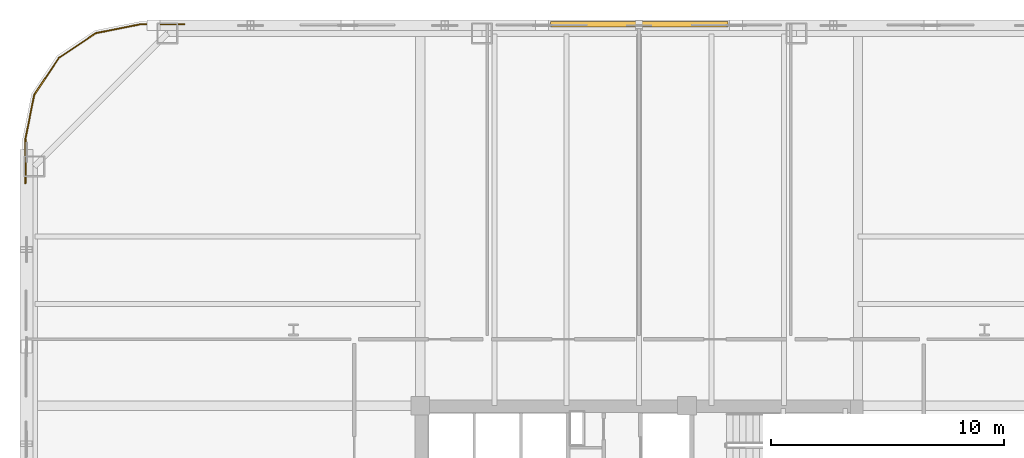
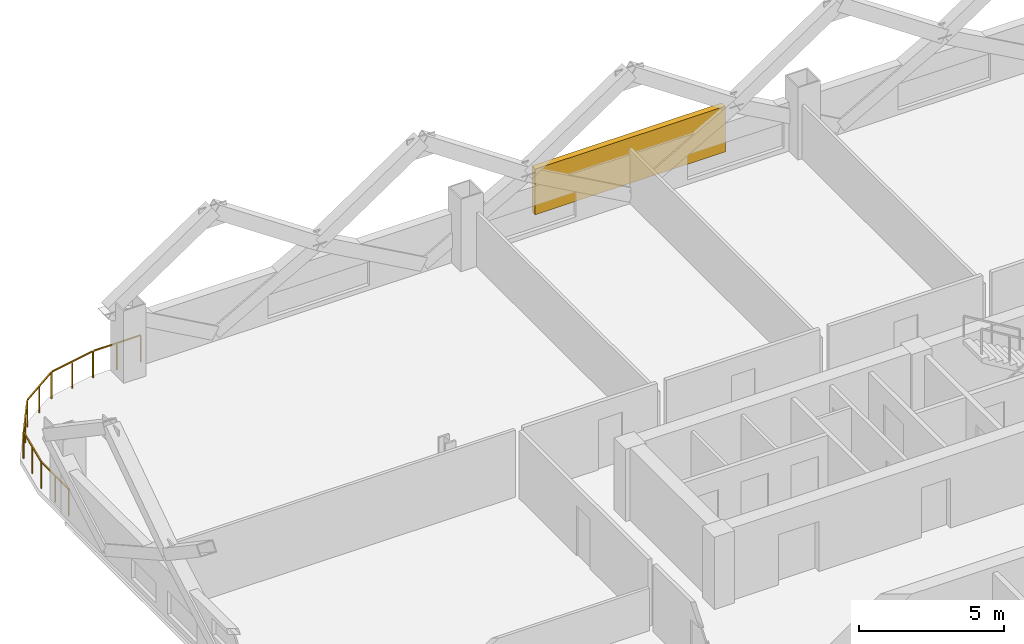
# One storey, part 12 of 13: 1 railing, 1 shading device.
"""IFC4 building model written with IfcOpenShell, lengths in metres."""

from ifc_helpers import new_model, si_unit, direction, frame, origin, origin_2d, place, context, subcontext, project, spatial, rectangle, extrude, material, type_object, element, save


model = new_model("IFC4")

# Units and contexts
model_context = context("Model", 3, precision=1e-05, world=origin(), true_north=direction((0.0, 1.0)))
body_context = subcontext(model_context, "Body", "Model", "MODEL_VIEW")
ifc_project = project(units=[si_unit("LENGTHUNIT", "METRE"), si_unit("AREAUNIT", "SQUARE_METRE"), si_unit("VOLUMEUNIT", "CUBIC_METRE"), si_unit("PLANEANGLEUNIT", "RADIAN"), si_unit("MASSUNIT", "GRAM", prefix="KILO")], contexts=[model_context])

# Site, building, storey
site_placement = place(None, origin())
site = spatial("IfcSite", under=ifc_project, at=site_placement, CompositionType="ELEMENT")
building_placement = place(site_placement, origin())
building = spatial("IfcBuilding", under=site, at=building_placement, Name="Qhalaya Broadcast Tower", CompositionType="ELEMENT")
storey_placement = place(building_placement, frame((0.0, 0.0, 44.39990234375)))
storey = spatial("IfcBuildingStorey", under=building, at=storey_placement, Name="L12", CompositionType="ELEMENT", Elevation=44.39990234375)

# Railing
ifc_material_1 = material(Name="Powder-Coated Galvanised Steel", Category="steel")
railing_type = type_object("IfcRailingType", Name="Terrace, Sky-Pool & Lookout Glass Balustrade 1150", PredefinedType="BALUSTRADE", material=ifc_material_1)
railing_placement = place(storey_placement, frame((-26.280029296875, 19.48193359375, 0.0)))
element("IfcRailing", 1, at=railing_placement, inside=storey, type_object=railing_type, Name="L12 Rounded Corner Perimeter Guard 03", PredefinedType="BALUSTRADE", context=body_context, shape_type="SweptSolid", body=[
    extrude(rectangle(XDim=0.048095703125, YDim=0.048095703125, at=origin_2d()), frame((0.0, 0.0, 1.1259765625), z_axis=(0.0, 1.0, 0.0), x_axis=(-1.0, 0.0, 0.0)), (0.0, 0.0, 1.0), 1.87744140625),
    extrude(rectangle(XDim=0.048095703125, YDim=0.048095703125, at=origin_2d()), frame((0.005615234375, 1.9345703125, 1.1259765625), z_axis=(0.195037378397, 0.980795810058, 0.0), x_axis=(-0.980795810058, 0.195037378397, 0.0)), (0.0, 0.0, 1.0), 1.857421875),
    extrude(rectangle(XDim=0.048095703125, YDim=0.048095703125, at=origin_2d()), frame((0.3896484375, 3.80859375, 1.1259765625), z_axis=(0.555558355728, 0.831477548332, 0.0), x_axis=(-0.831477548332, 0.555558355728, 0.0)), (0.0, 0.0, 1.0), 1.845458984375),
    extrude(rectangle(XDim=0.048095703125, YDim=0.048095703125, at=origin_2d()), frame((1.454833984375, 5.38330078125, 1.1259765625), z_axis=(0.831477548332, 0.555558355728, 0.0), x_axis=(-0.555558355728, 0.831477548332, 0.0)), (0.0, 0.0, 1.0), 1.845458984375),
    extrude(rectangle(XDim=0.048095703125, YDim=0.048095703125, at=origin_2d()), frame((3.041748046875, 6.43017578125, 1.1259765625), z_axis=(0.980795810058, 0.195037378397, 0.0), x_axis=(-0.195037378397, 0.980795810058, 0.0)), (0.0, 0.0, 1.0), 1.857421875),
    extrude(rectangle(XDim=0.048095703125, YDim=0.048095703125, at=origin_2d()), frame((4.920654296875, 6.798095703125, 1.1259765625), z_axis=(1.0, 0.0, 0.0), x_axis=(0.0, 1.0, 0.0)), (0.0, 0.0, 1.0), 1.87744140625),
    extrude(rectangle(XDim=0.0419921875, YDim=0.0419921875, at=origin_2d()), origin(), (0.0, 0.0, 1.0), 1.099853515625),
    extrude(rectangle(XDim=0.0419921875, YDim=0.0419921875, at=origin_2d()), frame((0.0, 0.953125, 0.0)), (0.0, 0.0, 1.0), 1.099853515625),
    extrude(rectangle(XDim=0.0419921875, YDim=0.0419921875, at=origin_2d()), frame((0.0, 1.90625, 0.0)), (0.0, 0.0, 1.0), 1.099853515625),
    extrude(rectangle(XDim=0.0419921875, YDim=0.0419921875, at=origin_2d()), frame((0.186767578125, 2.845458984375, 0.0)), (0.0, 0.0, 1.0), 1.099853515625),
    extrude(rectangle(XDim=0.0419921875, YDim=0.0419921875, at=origin_2d()), frame((0.37353515625, 3.78466796875, 0.0)), (0.0, 0.0, 1.0), 1.099853515625),
    extrude(rectangle(XDim=0.0419921875, YDim=0.0419921875, at=origin_2d()), frame((0.90234375, 4.575927734375, 0.0)), (0.0, 0.0, 1.0), 1.099853515625),
    extrude(rectangle(XDim=0.0419921875, YDim=0.0419921875, at=origin_2d()), frame((1.430908203125, 5.3671875, 0.0)), (0.0, 0.0, 1.0), 1.099853515625),
    extrude(rectangle(XDim=0.0419921875, YDim=0.0419921875, at=origin_2d()), frame((2.22216796875, 5.89599609375, 0.0)), (0.0, 0.0, 1.0), 1.099853515625),
    extrude(rectangle(XDim=0.0419921875, YDim=0.0419921875, at=origin_2d()), frame((3.013427734375, 6.424560546875, 0.0)), (0.0, 0.0, 1.0), 1.099853515625),
    extrude(rectangle(XDim=0.0419921875, YDim=0.0419921875, at=origin_2d()), frame((3.95263671875, 6.611328125, 0.0)), (0.0, 0.0, 1.0), 1.099853515625),
    extrude(rectangle(XDim=0.0419921875, YDim=0.0419921875, at=origin_2d()), frame((4.891845703125, 6.798095703125, 0.0)), (0.0, 0.0, 1.0), 1.099853515625),
    extrude(rectangle(XDim=0.0419921875, YDim=0.0419921875, at=origin_2d()), frame((5.844970703125, 6.798095703125, 0.0)), (0.0, 0.0, 1.0), 1.099853515625),
    extrude(rectangle(XDim=0.0419921875, YDim=0.0419921875, at=origin_2d()), frame((6.798095703125, 6.798095703125, 0.0)), (0.0, 0.0, 1.0), 1.099853515625),
])

# Shading device
ifc_material_2 = material(Name="Fired Architectural Terracotta", Category="masonry")
shading_device_type = type_object("IfcShadingDeviceType", Name="Terracotta Baguette Solar Screen Assembly TBS-01", PredefinedType="USERDEFINED", material=ifc_material_2)
shading_device_placement = place(storey_placement, frame((0.0, 26.280029296875, 0.79248046875), z_axis=(0.0, 0.0, 1.0), x_axis=(-1.0, 0.0, 0.0)))
element("IfcShadingDevice", 2, at=shading_device_placement, inside=storey, type_object=shading_device_type, Name="L12 Fired Terracotta Baguette Screen N", ObjectType="BAGUETTE", PredefinedType="USERDEFINED", context=body_context, shape_type="SweptSolid", body=[
    extrude(rectangle(XDim=7.60009765625, YDim=0.239990234375, at=origin_2d()), origin(), (0.0, 0.0, 1.0), 1.924072265625),
])

save(model, "model.ifc")
